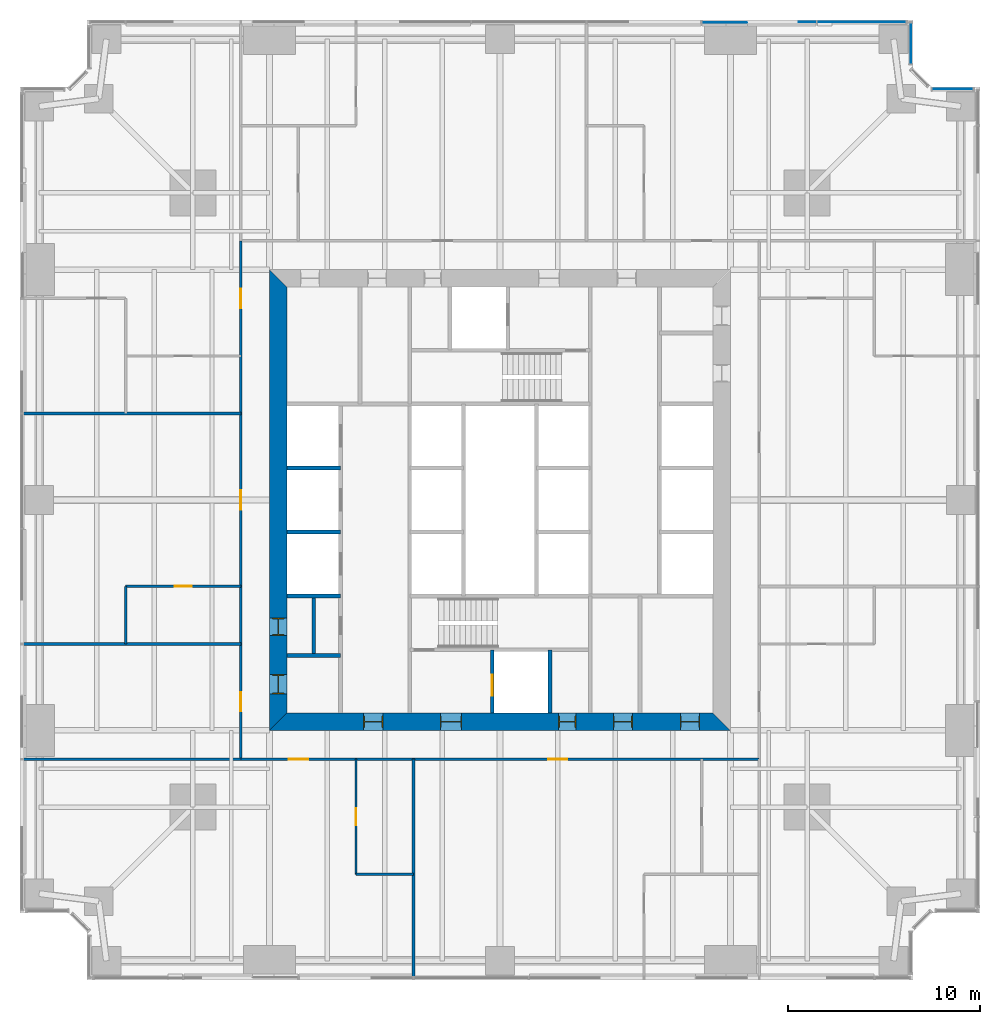
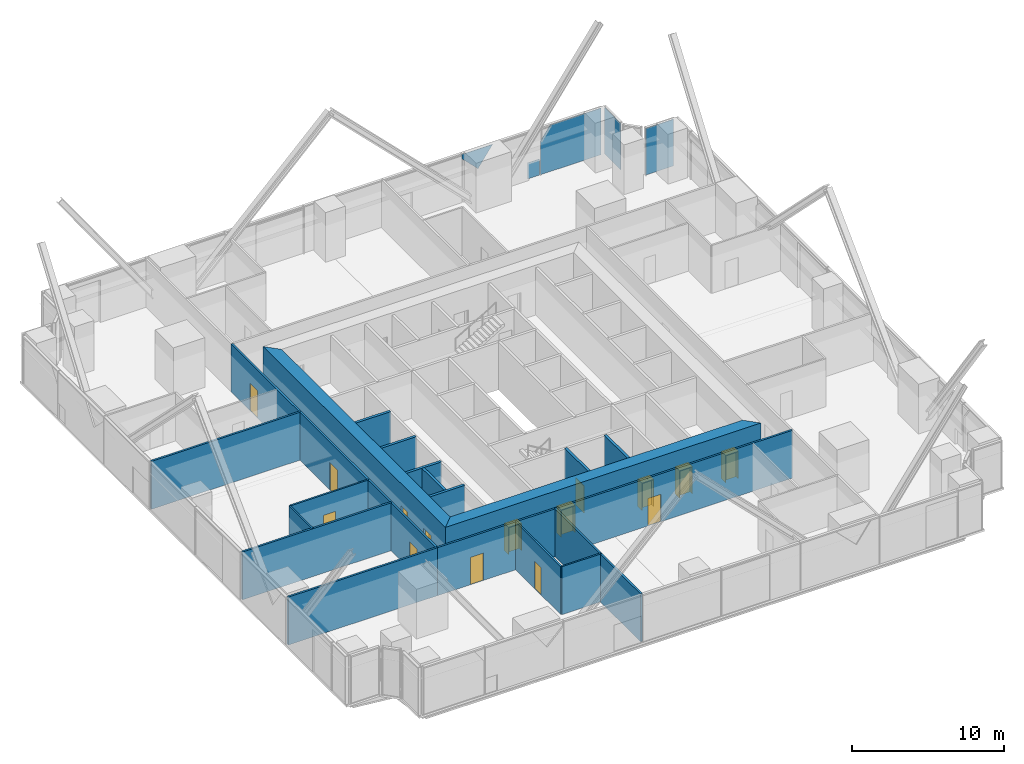
# One storey, part 9 of 13: 19 walls, 15 doors, 5 plates, 15 openings, 3 elements without a shape of their own.
"""IFC4 building model written with IfcOpenShell, lengths in metres."""

from ifc_helpers import new_model, si_unit, direction, frame, frame_2d, origin, origin_2d, place, context, subcontext, project, spatial, polyline, rectangle, outline, extrude, material, layer, layer_set, type_object, element, fill, aggregate, save


model = new_model("IFC4")

# Units and contexts
model_context = context("Model", 3, precision=1e-05, world=origin(), true_north=direction((0.0, 1.0)))
body_context = subcontext(model_context, "Body", "Model", "MODEL_VIEW")
ifc_project = project(units=[si_unit("LENGTHUNIT", "METRE"), si_unit("AREAUNIT", "SQUARE_METRE"), si_unit("VOLUMEUNIT", "CUBIC_METRE"), si_unit("PLANEANGLEUNIT", "RADIAN"), si_unit("MASSUNIT", "GRAM", prefix="KILO")], contexts=[model_context])

# Site, building, storey
site_placement = place(None, origin())
site = spatial("IfcSite", under=ifc_project, at=site_placement, CompositionType="ELEMENT")
building_placement = place(site_placement, origin())
building = spatial("IfcBuilding", under=site, at=building_placement, Name="Fenwick Lantern Interchange", CompositionType="ELEMENT")
storey_placement = place(building_placement, frame((0.0, 0.0, 55.0)))
storey = spatial("IfcBuildingStorey", under=building, at=storey_placement, Name="L12", CompositionType="ELEMENT", Elevation=55.0)

# Curtain wall, plate
ifc_material_1 = material(Name="Aluminium curtain wall frame", Category="aluminium")
curtain_wall_type = type_object("IfcCurtainWallType", Name="OFFICE CURTAIN WALL", PredefinedType="USERDEFINED", material=ifc_material_1)
curtain_wall_1_placement = place(storey_placement, origin())
curtain_wall_1 = element("IfcCurtainWall", 1, at=curtain_wall_1_placement, inside=storey, type_object=curtain_wall_type, Name="Office curtain wall 06", ObjectType="OFFICE CURTAIN WALL", PredefinedType="USERDEFINED")
ifc_material_2 = material(Name="Vision glass, clear low-iron double glazed", Category="glass")
ifc_layer_1 = layer(ifc_material_2, 0.031982421875)
ifc_layer_set_1 = layer_set([ifc_layer_1], Name="OFFICE CURTAIN WALL PANEL 32")
plate_type = type_object("IfcPlateType", Name="OFFICE CURTAIN WALL PANEL 32", PredefinedType="CURTAIN_PANEL", material=ifc_layer_set_1)
plate_1_placement = place(storey_placement, frame((48.579345703125, 46.39990234375, 0.0), z_axis=(0.0, 0.0, 1.0), x_axis=(-1.0, 0.0, 0.0)))
plate_1 = element("IfcPlate", 2, at=plate_1_placement, type_object=plate_type, Name="L12/CW/06/P00", PredefinedType="CURTAIN_PANEL", context=body_context, shape_type="SweptSolid", body=[
    extrude(rectangle(XDim=2.111328125, YDim=0.031982421875, at=origin_2d()), origin(), (0.0, 0.0, 1.0), 3.75),
])
aggregate(curtain_wall_1, [plate_1])

curtain_wall_2_placement = place(storey_placement, origin())
curtain_wall_2 = element("IfcCurtainWall", 3, at=curtain_wall_2_placement, inside=storey, type_object=curtain_wall_type, Name="Office curtain wall 08", ObjectType="OFFICE CURTAIN WALL", PredefinedType="USERDEFINED")
plate_2_placement = place(storey_placement, frame((46.39990234375, 48.779296875, 0.0), z_axis=(0.0, 0.0, 1.0), x_axis=(0.0, 1.0, 0.0)))
plate_2 = element("IfcPlate", 4, at=plate_2_placement, type_object=plate_type, Name="L12/CW/08/P00", PredefinedType="CURTAIN_PANEL", context=body_context, shape_type="SweptSolid", body=[
    extrude(rectangle(XDim=2.111328125, YDim=0.031982421875, at=origin_2d()), origin(), (0.0, 0.0, 1.0), 3.75),
])
aggregate(curtain_wall_2, [plate_2])

# Curtain wall, plates
curtain_wall_3_placement = place(storey_placement, origin())
curtain_wall_3 = element("IfcCurtainWall", 5, at=curtain_wall_3_placement, inside=storey, type_object=curtain_wall_type, Name="Office curtain wall 09", ObjectType="OFFICE CURTAIN WALL", PredefinedType="USERDEFINED")
plate_3_placement = place(storey_placement, frame((46.39990234375, 49.89990234375, 0.0), z_axis=(0.0, 0.0, 1.0), x_axis=(-1.0, 0.0, 0.0)))
plate_3 = element("IfcPlate", 6, at=plate_3_placement, type_object=plate_type, Name="L12/CW/09/P00a", PredefinedType="CURTAIN_PANEL", context=body_context, shape_type="SweptSolid", body=[
    extrude(outline(polyline([(0.264892578125, 0.0), (4.867431640625, 0.0), (4.867431640625, 2.6787109375), (4.108642578125, 3.75), (0.264892578125, 3.75), (0.264892578125, 0.0)])), frame((0.0, 0.01611328125, 0.0), z_axis=(0.0, -1.0, 0.0), x_axis=(1.0, 0.0, 0.0)), (0.0, 0.0, 1.0), 0.031982421875),
])
plate_4_placement = place(storey_placement, frame((46.39990234375, 49.89990234375, 0.0), z_axis=(0.0, 0.0, 1.0), x_axis=(-1.0, 0.0, 0.0)))
plate_4 = element("IfcPlate", 7, at=plate_4_placement, type_object=plate_type, Name="L12/CW/09/P01a", PredefinedType="CURTAIN_PANEL", context=body_context, shape_type="SweptSolid", body=[
    extrude(outline(polyline([(4.9326171875, 0.0), (5.847412109375, 0.0), (5.847412109375, 1.295166015625), (4.9326171875, 1.295166015625), (4.9326171875, 0.0)])), frame((0.0, 0.01611328125, 0.0), z_axis=(0.0, -1.0, 0.0), x_axis=(1.0, 0.0, 0.0)), (0.0, 0.0, 1.0), 0.031982421875),
])
plate_5_placement = place(storey_placement, frame((46.39990234375, 49.89990234375, 2.17529296875), z_axis=(0.0, 0.0, 1.0), x_axis=(-1.0, 0.0, 0.0)))
plate_5 = element("IfcPlate", 8, at=plate_5_placement, type_object=plate_type, Name="L12/CW/09/P01b", PredefinedType="CURTAIN_PANEL", context=body_context, shape_type="SweptSolid", body=[
    extrude(outline(polyline([(9.6357421875, 0.0), (10.867431640625, 1.231689453125), (10.867431640625, 1.57470703125), (8.520263671875, 1.57470703125), (9.6357421875, 0.0)])), frame((0.0, 0.0498046875, 0.0), z_axis=(0.0, -1.0, 0.0), x_axis=(1.0, 0.0, 0.0)), (0.0, 0.0, 1.0), 0.031982421875),
])
aggregate(curtain_wall_3, [plate_3, plate_4, plate_5])

# Walls
ifc_material_3 = material(Name="Concrete masonry ASTM C90 Grade N", Category="masonry")
ifc_layer_2 = layer(ifc_material_3, 0.199951171875)
ifc_layer_set_2 = layer_set([ifc_layer_2], Name="Concrete masonry ASTM C90 Grade N")
wall_type_1 = type_object("IfcWallType", Name="CORE PARTITION 200", PredefinedType="PARTITIONING", material=ifc_layer_set_2)
for number, where, z_axis, x_axis, name in (
    (9, (13.89990234375, 20.0, 0.0), (0.0, 0.0, 1.0), (1.0, 0.0, 0.0), "L12/W/CORES/c2"),
    (10, (13.89990234375, 23.333251953125, 0.0), (0.0, 0.0, 1.0), (1.0, 0.0, 0.0), "L12/W/CORES/d1"),
    (11, (13.89990234375, 26.666748046875, 0.0), (0.0, 0.0, 1.0), (1.0, 0.0, 0.0), "L12/W/CORES/d2"),
):
    element("IfcWall", number, at=place(storey_placement, frame(where, z_axis=z_axis, x_axis=x_axis)), inside=storey, type_object=wall_type_1, Name=name, PredefinedType="PARTITIONING", context=body_context, shape_type="SweptSolid", body=[
        extrude(rectangle(XDim=2.800048828125, YDim=0.199951171875, at=frame_2d((1.39990234375, 0.0))), origin(), (0.0, 0.0, 1.0), 3.800048828125),
    ])

# Wall, opening, door
wall_1_placement = place(storey_placement, frame((24.60009765625, 13.89990234375, 0.0), z_axis=(0.0, 0.0, 1.0), x_axis=(0.0, 1.0, 0.0)))
wall_1 = element("IfcWall", 12, at=wall_1_placement, inside=storey, type_object=wall_type_1, Name="L12/W/CORES/h1", PredefinedType="PARTITIONING", context=body_context, shape_type="SweptSolid", body=[
    extrude(rectangle(XDim=3.300048828125, YDim=0.199951171875, at=frame_2d((1.64990234375, 0.0))), origin(), (0.0, 0.0, 1.0), 3.800048828125),
])
opening_1_placement = place(wall_1_placement, frame((0.89990234375, 0.0, 0.0)))
opening_1 = element("IfcOpeningElement", 13, at=opening_1_placement, cuts=wall_1, Name="Opening LD-FL1", PredefinedType="OPENING", context=body_context, shape_type="SweptSolid", body=[
    extrude(rectangle(XDim=1.10009765625, YDim=2.199951171875, at=frame_2d((0.550048828125, 1.10009765625))), frame((0.0, 0.10986328125, 0.0), z_axis=(0.0, -1.0, 0.0), x_axis=(1.0, 0.0, 0.0)), (0.0, 0.0, 1.0), 0.219970703125),
])
ifc_material_4 = material(Name="Steel door and frame", Category="steel")
door_type_1 = type_object("IfcDoorType", Name="LIFT LANDING DOOR 1100 X 2200", OperationType="DOUBLE_DOOR_SLIDING", PredefinedType="DOOR", material=ifc_material_4)
door_1_placement = place(opening_1_placement, origin())
door_1 = element("IfcDoor", 14, at=door_1_placement, inside=storey, type_object=door_type_1, Name="Lift landing door FL1", OperationType="DOUBLE_DOOR_SLIDING", OverallHeight=2.199951171875, OverallWidth=1.10009765625, PredefinedType="DOOR", context=body_context, shape_type="SweptSolid", body=[
    extrude(rectangle(XDim=1.10009765625, YDim=2.199951171875, at=frame_2d((0.550048828125, 1.10009765625))), frame((0.0, 0.02490234375, 0.0), z_axis=(0.0, -1.0, 0.0), x_axis=(1.0, 0.0, 0.0)), (0.0, 0.0, 1.0), 0.050048828125),
])
fill(opening_1, door_1)

# Walls
wall_2_placement = place(storey_placement, frame((27.60009765625, 13.89990234375, 0.0), z_axis=(0.0, 0.0, 1.0), x_axis=(0.0, 1.0, 0.0)))
element("IfcWall", 15, at=wall_2_placement, inside=storey, type_object=wall_type_1, Name="L12/W/CORES/h2", PredefinedType="PARTITIONING", context=body_context, shape_type="SweptSolid", body=[
    extrude(rectangle(XDim=3.300048828125, YDim=0.199951171875, at=frame_2d((1.64990234375, 0.0))), origin(), (0.0, 0.0, 1.0), 3.800048828125),
])
wall_3_placement = place(storey_placement, frame((13.89990234375, 16.89990234375, 0.0), z_axis=(0.0, 0.0, 1.0), x_axis=(1.0, 0.0, 0.0)))
element("IfcWall", 16, at=wall_3_placement, inside=storey, type_object=wall_type_1, Name="L12/W/CORES/p1", PredefinedType="PARTITIONING", context=body_context, shape_type="SweptSolid", body=[
    extrude(rectangle(XDim=2.800048828125, YDim=0.199951171875, at=frame_2d((1.39990234375, 0.0))), origin(), (0.0, 0.0, 1.0), 3.800048828125),
])
wall_4_placement = place(storey_placement, frame((15.300048828125, 16.89990234375, 0.0), z_axis=(0.0, 0.0, 1.0), x_axis=(0.0, 1.0, 0.0)))
element("IfcWall", 17, at=wall_4_placement, inside=storey, type_object=wall_type_1, Name="L12/W/CORES/px", PredefinedType="PARTITIONING", context=body_context, shape_type="SweptSolid", body=[
    extrude(rectangle(XDim=3.10009765625, YDim=0.199951171875, at=frame_2d((1.550048828125, 0.0))), origin(), (0.0, 0.0, 1.0), 3.800048828125),
])

# Wall, openings, doors
ifc_material_5 = material(Name="Concrete f'c 70 MPa", Category="concrete")
ifc_layer_3 = layer(ifc_material_5, 0.89990234375)
ifc_layer_set_3 = layer_set([ifc_layer_3], Name="CORE WALL 900")
wall_type_2 = type_object("IfcWallType", Name="CORE WALL 900", PredefinedType="SHEAR", material=ifc_layer_set_3)
wall_5_placement = place(storey_placement, frame((13.0, 13.449951171875, 0.0), z_axis=(0.0, 0.0, 1.0), x_axis=(1.0, 0.0, 0.0)))
wall_5 = element("IfcWall", 18, at=wall_5_placement, inside=storey, type_object=wall_type_2, Name="L12/CORE/S", PredefinedType="SHEAR", context=body_context, shape_type="SweptSolid", body=[
    extrude(outline(polyline([(0.0, -0.449951171875), (24.0, -0.449951171875), (23.10009765625, 0.449951171875), (0.89990234375, 0.449951171875), (0.0, -0.449951171875)])), origin(), (0.0, 0.0, 1.0), 4.0),
])
opening_2_placement = place(wall_5_placement, frame((4.89990234375, 0.0, 0.0)))
opening_2 = element("IfcOpeningElement", 19, at=opening_2_placement, cuts=wall_5, Name="Opening L12-D001", PredefinedType="OPENING", context=body_context, shape_type="SweptSolid", body=[
    extrude(rectangle(XDim=1.0, YDim=2.199951171875, at=frame_2d((0.5, 1.10009765625))), frame((0.0, 0.4599609375, 0.0), z_axis=(0.0, -1.0, 0.0), x_axis=(1.0, 0.0, 0.0)), (0.0, 0.0, 1.0), 0.919921875),
])
opening_3_placement = place(wall_5_placement, frame((8.89990234375, 0.0, 0.0)))
opening_3 = element("IfcOpeningElement", 20, at=opening_3_placement, cuts=wall_5, Name="Opening L12-D002", PredefinedType="OPENING", context=body_context, shape_type="SweptSolid", body=[
    extrude(rectangle(XDim=1.10009765625, YDim=2.199951171875, at=frame_2d((0.550048828125, 1.10009765625))), frame((0.0, 0.4599609375, 0.0), z_axis=(0.0, -1.0, 0.0), x_axis=(1.0, 0.0, 0.0)), (0.0, 0.0, 1.0), 0.919921875),
])
opening_4_placement = place(wall_5_placement, frame((15.050048828125, 0.0, 0.0)))
opening_4 = element("IfcOpeningElement", 21, at=opening_4_placement, cuts=wall_5, Name="Opening L12-D004", PredefinedType="OPENING", context=body_context, shape_type="SweptSolid", body=[
    extrude(rectangle(XDim=0.89990234375, YDim=2.199951171875, at=frame_2d((0.449951171875, 1.10009765625))), frame((0.0, 0.4599609375, 0.0), z_axis=(0.0, -1.0, 0.0), x_axis=(1.0, 0.0, 0.0)), (0.0, 0.0, 1.0), 0.919921875),
])
opening_5_placement = place(wall_5_placement, frame((17.89990234375, 0.0, 0.0)))
opening_5 = element("IfcOpeningElement", 22, at=opening_5_placement, cuts=wall_5, Name="Opening L12-D005", PredefinedType="OPENING", context=body_context, shape_type="SweptSolid", body=[
    extrude(rectangle(XDim=1.0, YDim=2.199951171875, at=frame_2d((0.5, 1.10009765625))), frame((0.0, 0.4599609375, 0.0), z_axis=(0.0, -1.0, 0.0), x_axis=(1.0, 0.0, 0.0)), (0.0, 0.0, 1.0), 0.919921875),
])
opening_6_placement = place(wall_5_placement, frame((21.39990234375, 0.0, 0.0)))
opening_6 = element("IfcOpeningElement", 23, at=opening_6_placement, cuts=wall_5, Name="Opening L12-D006", PredefinedType="OPENING", context=body_context, shape_type="SweptSolid", body=[
    extrude(rectangle(XDim=1.0, YDim=2.199951171875, at=frame_2d((0.5, 1.10009765625))), frame((0.0, 0.4599609375, 0.0), z_axis=(0.0, -1.0, 0.0), x_axis=(1.0, 0.0, 0.0)), (0.0, 0.0, 1.0), 0.919921875),
])
door_type_2 = type_object("IfcDoorType", Name="CORE LOBBY DOOR 1000 X 2200", OperationType="SINGLE_SWING_LEFT", PredefinedType="DOOR", material=ifc_material_4)
door_2_placement = place(opening_2_placement, origin())
door_2 = element("IfcDoor", 24, at=door_2_placement, inside=storey, type_object=door_type_2, Name="Core lobby door", OperationType="SINGLE_SWING_LEFT", OverallHeight=2.199951171875, OverallWidth=1.0, PredefinedType="DOOR", context=body_context, shape_type="SweptSolid", body=[
    extrude(rectangle(XDim=1.0, YDim=2.199951171875, at=frame_2d((0.5, 1.10009765625))), frame((0.0, 0.02490234375, 0.0), z_axis=(0.0, -1.0, 0.0), x_axis=(1.0, 0.0, 0.0)), (0.0, 0.0, 1.0), 0.050048828125),
    extrude(outline(polyline([(0.0, 0.0), (0.0400390625, 0.0), (0.0400390625, 2.159912109375), (0.9599609375, 2.159912109375), (0.9599609375, 0.0), (1.0, 0.0), (1.0, 2.199951171875), (0.0, 2.199951171875), (0.0, 0.0)])), frame((0.0, 0.300048828125, 0.0), z_axis=(0.0, -1.0, 0.0), x_axis=(1.0, 0.0, 0.0)), (0.0, 0.0, 1.0), 0.60009765625),
])
fill(opening_2, door_2)
door_type_3 = type_object("IfcDoorType", Name="FIRE LOBBY DOOR 1100 X 2200", OperationType="SINGLE_SWING_LEFT", PredefinedType="DOOR", material=ifc_material_4)
door_3_placement = place(opening_3_placement, origin())
door_3 = element("IfcDoor", 25, at=door_3_placement, inside=storey, type_object=door_type_3, Name="Fire lobby door", OperationType="SINGLE_SWING_LEFT", OverallHeight=2.199951171875, OverallWidth=1.10009765625, PredefinedType="DOOR", context=body_context, shape_type="SweptSolid", body=[
    extrude(rectangle(XDim=1.10009765625, YDim=2.199951171875, at=frame_2d((0.550048828125, 1.10009765625))), frame((0.0, 0.02490234375, 0.0), z_axis=(0.0, -1.0, 0.0), x_axis=(1.0, 0.0, 0.0)), (0.0, 0.0, 1.0), 0.050048828125),
    extrude(outline(polyline([(0.0, 0.0), (0.0400390625, 0.0), (0.0400390625, 2.159912109375), (1.06005859375, 2.159912109375), (1.06005859375, 0.0), (1.10009765625, 0.0), (1.10009765625, 2.199951171875), (0.0, 2.199951171875), (0.0, 0.0)])), frame((0.0, 0.300048828125, 0.0), z_axis=(0.0, -1.0, 0.0), x_axis=(1.0, 0.0, 0.0)), (0.0, 0.0, 1.0), 0.60009765625),
])
fill(opening_3, door_3)
door_type_4 = type_object("IfcDoorType", Name="SERVICE DOOR 900 X 2200", OperationType="SINGLE_SWING_LEFT", PredefinedType="DOOR", material=ifc_material_4)
door_4_placement = place(opening_4_placement, origin())
door_4 = element("IfcDoor", 26, at=door_4_placement, inside=storey, type_object=door_type_4, Name="Service door", OperationType="SINGLE_SWING_LEFT", OverallHeight=2.199951171875, OverallWidth=0.89990234375, PredefinedType="DOOR", context=body_context, shape_type="SweptSolid", body=[
    extrude(rectangle(XDim=0.89990234375, YDim=2.199951171875, at=frame_2d((0.449951171875, 1.10009765625))), frame((0.0, 0.02490234375, 0.0), z_axis=(0.0, -1.0, 0.0), x_axis=(1.0, 0.0, 0.0)), (0.0, 0.0, 1.0), 0.050048828125),
    extrude(outline(polyline([(0.0, 0.0), (0.0400390625, 0.0), (0.0400390625, 2.159912109375), (0.85986328125, 2.159912109375), (0.85986328125, 0.0), (0.89990234375, 0.0), (0.89990234375, 2.199951171875), (0.0, 2.199951171875), (0.0, 0.0)])), frame((0.0, 0.300048828125, 0.0), z_axis=(0.0, -1.0, 0.0), x_axis=(1.0, 0.0, 0.0)), (0.0, 0.0, 1.0), 0.60009765625),
])
fill(opening_4, door_4)
ifc_material_6 = material(Name="Hardwood door and steel frame", Category="steel")
door_type_5 = type_object("IfcDoorType", Name="WC DOOR 1000 X 2200", OperationType="SINGLE_SWING_LEFT", PredefinedType="DOOR", material=ifc_material_6)
door_5_placement = place(opening_5_placement, origin())
door_5 = element("IfcDoor", 27, at=door_5_placement, inside=storey, type_object=door_type_5, Name="Wc door", OperationType="SINGLE_SWING_RIGHT", OverallHeight=2.199951171875, OverallWidth=1.0, PredefinedType="DOOR", context=body_context, shape_type="SweptSolid", body=[
    extrude(rectangle(XDim=1.0, YDim=2.199951171875, at=frame_2d((0.5, 1.10009765625))), frame((0.0, 0.02490234375, 0.0), z_axis=(0.0, -1.0, 0.0), x_axis=(1.0, 0.0, 0.0)), (0.0, 0.0, 1.0), 0.050048828125),
    extrude(outline(polyline([(0.0, 0.0), (0.0400390625, 0.0), (0.0400390625, 2.159912109375), (0.9599609375, 2.159912109375), (0.9599609375, 0.0), (1.0, 0.0), (1.0, 2.199951171875), (0.0, 2.199951171875), (0.0, 0.0)])), frame((0.0, 0.300048828125, 0.0), z_axis=(0.0, -1.0, 0.0), x_axis=(1.0, 0.0, 0.0)), (0.0, 0.0, 1.0), 0.60009765625),
])
fill(opening_5, door_5)
door_6_placement = place(opening_6_placement, origin())
door_6 = element("IfcDoor", 28, at=door_6_placement, inside=storey, type_object=door_type_5, Name="Wc door", OperationType="SINGLE_SWING_RIGHT", OverallHeight=2.199951171875, OverallWidth=1.0, PredefinedType="DOOR", context=body_context, shape_type="SweptSolid", body=[
    extrude(rectangle(XDim=1.0, YDim=2.199951171875, at=frame_2d((0.5, 1.10009765625))), frame((0.0, 0.02490234375, 0.0), z_axis=(0.0, -1.0, 0.0), x_axis=(1.0, 0.0, 0.0)), (0.0, 0.0, 1.0), 0.050048828125),
    extrude(outline(polyline([(0.0, 0.0), (0.0400390625, 0.0), (0.0400390625, 2.159912109375), (0.9599609375, 2.159912109375), (0.9599609375, 0.0), (1.0, 0.0), (1.0, 2.199951171875), (0.0, 2.199951171875), (0.0, 0.0)])), frame((0.0, 0.300048828125, 0.0), z_axis=(0.0, -1.0, 0.0), x_axis=(1.0, 0.0, 0.0)), (0.0, 0.0, 1.0), 0.60009765625),
])
fill(opening_6, door_6)

wall_6_placement = place(storey_placement, frame((13.449951171875, 36.10009765625, 0.0), z_axis=(0.0, 0.0, 1.0), x_axis=(0.0, -1.0, 0.0)))
wall_6 = element("IfcWall", 29, at=wall_6_placement, inside=storey, type_object=wall_type_2, Name="L12/CORE/W", PredefinedType="SHEAR", context=body_context, shape_type="SweptSolid", body=[
    extrude(outline(polyline([(-0.89990234375, -0.449951171875), (23.10009765625, -0.449951171875), (22.199951171875, 0.449951171875), (0.0, 0.449951171875), (-0.89990234375, -0.449951171875)])), origin(), (0.0, 0.0, 1.0), 4.0),
])
opening_7_placement = place(wall_6_placement, frame((20.199951171875, 0.0, 0.0)))
opening_7 = element("IfcOpeningElement", 30, at=opening_7_placement, cuts=wall_6, Name="Opening L12-D007", PredefinedType="OPENING", context=body_context, shape_type="SweptSolid", body=[
    extrude(rectangle(XDim=1.0, YDim=2.199951171875, at=frame_2d((0.5, 1.10009765625))), frame((0.0, 0.4599609375, 0.0), z_axis=(0.0, -1.0, 0.0), x_axis=(1.0, 0.0, 0.0)), (0.0, 0.0, 1.0), 0.919921875),
])
opening_8_placement = place(wall_6_placement, frame((17.25, 0.0, 0.0)))
opening_8 = element("IfcOpeningElement", 31, at=opening_8_placement, cuts=wall_6, Name="Opening L12-D009", PredefinedType="OPENING", context=body_context, shape_type="SweptSolid", body=[
    extrude(rectangle(XDim=0.89990234375, YDim=2.199951171875, at=frame_2d((0.449951171875, 1.10009765625))), frame((0.0, 0.4599609375, 0.0), z_axis=(0.0, -1.0, 0.0), x_axis=(1.0, 0.0, 0.0)), (0.0, 0.0, 1.0), 0.919921875),
])
door_7_placement = place(opening_8_placement, origin())
door_7 = element("IfcDoor", 32, at=door_7_placement, inside=storey, type_object=door_type_4, Name="Service door", OperationType="SINGLE_SWING_RIGHT", OverallHeight=2.199951171875, OverallWidth=0.89990234375, PredefinedType="DOOR", context=body_context, shape_type="SweptSolid", body=[
    extrude(rectangle(XDim=0.89990234375, YDim=2.199951171875, at=frame_2d((0.449951171875, 1.10009765625))), frame((0.0, 0.02490234375, 0.0), z_axis=(0.0, -1.0, 0.0), x_axis=(1.0, 0.0, 0.0)), (0.0, 0.0, 1.0), 0.050048828125),
    extrude(outline(polyline([(0.0, 0.0), (0.0400390625, 0.0), (0.0400390625, 2.159912109375), (0.85986328125, 2.159912109375), (0.85986328125, 0.0), (0.89990234375, 0.0), (0.89990234375, 2.199951171875), (0.0, 2.199951171875), (0.0, 0.0)])), frame((0.0, 0.300048828125, 0.0), z_axis=(0.0, -1.0, 0.0), x_axis=(1.0, 0.0, 0.0)), (0.0, 0.0, 1.0), 0.60009765625),
])
fill(opening_8, door_7)
door_8_placement = place(opening_7_placement, origin())
door_8 = element("IfcDoor", 33, at=door_8_placement, inside=storey, type_object=door_type_5, Name="Wc door", OperationType="SINGLE_SWING_LEFT", OverallHeight=2.199951171875, OverallWidth=1.0, PredefinedType="DOOR", context=body_context, shape_type="SweptSolid", body=[
    extrude(rectangle(XDim=1.0, YDim=2.199951171875, at=frame_2d((0.5, 1.10009765625))), frame((0.0, 0.02490234375, 0.0), z_axis=(0.0, -1.0, 0.0), x_axis=(1.0, 0.0, 0.0)), (0.0, 0.0, 1.0), 0.050048828125),
    extrude(outline(polyline([(0.0, 0.0), (0.0400390625, 0.0), (0.0400390625, 2.159912109375), (0.9599609375, 2.159912109375), (0.9599609375, 0.0), (1.0, 0.0), (1.0, 2.199951171875), (0.0, 2.199951171875), (0.0, 0.0)])), frame((0.0, 0.300048828125, 0.0), z_axis=(0.0, -1.0, 0.0), x_axis=(1.0, 0.0, 0.0)), (0.0, 0.0, 1.0), 0.60009765625),
])
fill(opening_7, door_8)

ifc_material_7 = material(Name="Gypsum board on steel studs, 1 hour", Category="steel")
ifc_layer_4 = layer(ifc_material_7, 0.14990234375)
ifc_layer_set_4 = layer_set([ifc_layer_4], Name="CORRIDOR WALL 150")
wall_type_3 = type_object("IfcWallType", Name="CORRIDOR WALL 150", PredefinedType="PARTITIONING", material=ifc_layer_set_4)
wall_7_placement = place(storey_placement, frame((11.5, 11.5, 0.0), z_axis=(0.0, 0.0, 1.0), x_axis=(1.0, 0.0, 0.0)))
wall_7 = element("IfcWall", 34, at=wall_7_placement, inside=storey, type_object=wall_type_3, Name="L12/W/OFF/S/CW", PredefinedType="PARTITIONING", context=body_context, shape_type="SweptSolid", body=[
    extrude(rectangle(XDim=27.0, YDim=0.14990234375, at=frame_2d((13.5, 0.0))), origin(), (0.0, 0.0, 1.0), 3.85009765625),
])
opening_9_placement = place(wall_7_placement, frame((2.5, 0.0, 0.0)))
opening_9 = element("IfcOpeningElement", 35, at=opening_9_placement, cuts=wall_7, Name="Opening L12-D018", PredefinedType="OPENING", context=body_context, shape_type="SweptSolid", body=[
    extrude(rectangle(XDim=1.0, YDim=2.199951171875, at=frame_2d((0.5, 1.10009765625))), frame((0.0, 0.0849609375, 0.0), z_axis=(0.0, -1.0, 0.0), x_axis=(1.0, 0.0, 0.0)), (0.0, 0.0, 1.0), 0.169921875),
])
opening_10_placement = place(wall_7_placement, frame((16.0, 0.0, 0.0)))
opening_10 = element("IfcOpeningElement", 36, at=opening_10_placement, cuts=wall_7, Name="Opening L12-D020", PredefinedType="OPENING", context=body_context, shape_type="SweptSolid", body=[
    extrude(rectangle(XDim=1.0, YDim=2.199951171875, at=frame_2d((0.5, 1.10009765625))), frame((0.0, 0.0849609375, 0.0), z_axis=(0.0, -1.0, 0.0), x_axis=(1.0, 0.0, 0.0)), (0.0, 0.0, 1.0), 0.169921875),
])
door_type_6 = type_object("IfcDoorType", Name="SUITE ENTRANCE DOOR 1000 X 2200", OperationType="SINGLE_SWING_LEFT", PredefinedType="DOOR", material=ifc_material_4)
door_9_placement = place(opening_9_placement, frame((1.0, 0.0, 0.0), z_axis=(0.0, 0.0, 1.0), x_axis=(-1.0, 0.0, 0.0)))
door_9 = element("IfcDoor", 37, at=door_9_placement, inside=storey, type_object=door_type_6, Name="Suite entrance door", OperationType="SINGLE_SWING_LEFT", OverallHeight=2.199951171875, OverallWidth=1.0, PredefinedType="DOOR", context=body_context, shape_type="SweptSolid", body=[
    extrude(rectangle(XDim=1.0, YDim=2.199951171875, at=frame_2d((0.5, 1.10009765625))), frame((0.0, 0.02490234375, 0.0), z_axis=(0.0, -1.0, 0.0), x_axis=(1.0, 0.0, 0.0)), (0.0, 0.0, 1.0), 0.050048828125),
])
fill(opening_9, door_9)
door_10_placement = place(opening_10_placement, frame((1.0, 0.0, 0.0), z_axis=(0.0, 0.0, 1.0), x_axis=(-1.0, 0.0, 0.0)))
door_10 = element("IfcDoor", 38, at=door_10_placement, inside=storey, type_object=door_type_6, Name="Suite entrance door", OperationType="SINGLE_SWING_RIGHT", OverallHeight=2.199951171875, OverallWidth=1.0, PredefinedType="DOOR", context=body_context, shape_type="SweptSolid", body=[
    extrude(rectangle(XDim=1.0, YDim=2.199951171875, at=frame_2d((0.5, 1.10009765625))), frame((0.0, 0.02490234375, 0.0), z_axis=(0.0, -1.0, 0.0), x_axis=(1.0, 0.0, 0.0)), (0.0, 0.0, 1.0), 0.050048828125),
])
fill(opening_10, door_10)

wall_8_placement = place(storey_placement, frame((11.5, 38.5, 0.0), z_axis=(0.0, 0.0, 1.0), x_axis=(0.0, -1.0, 0.0)))
wall_8 = element("IfcWall", 39, at=wall_8_placement, inside=storey, type_object=wall_type_3, Name="L12/W/OFF/W/CW", PredefinedType="PARTITIONING", context=body_context, shape_type="SweptSolid", body=[
    extrude(rectangle(XDim=27.0, YDim=0.14990234375, at=frame_2d((13.5, 0.0))), origin(), (0.0, 0.0, 1.0), 3.85009765625),
])
opening_11_placement = place(wall_8_placement, frame((2.5, 0.0, 0.0)))
opening_11 = element("IfcOpeningElement", 40, at=opening_11_placement, cuts=wall_8, Name="Opening L12-D033", PredefinedType="OPENING", context=body_context, shape_type="SweptSolid", body=[
    extrude(rectangle(XDim=1.0, YDim=2.199951171875, at=frame_2d((0.5, 1.10009765625))), frame((0.0, 0.0849609375, 0.0), z_axis=(0.0, -1.0, 0.0), x_axis=(1.0, 0.0, 0.0)), (0.0, 0.0, 1.0), 0.169921875),
])
opening_12_placement = place(wall_8_placement, frame((13.0, 0.0, 0.0)))
opening_12 = element("IfcOpeningElement", 41, at=opening_12_placement, cuts=wall_8, Name="Opening L12-D036", PredefinedType="OPENING", context=body_context, shape_type="SweptSolid", body=[
    extrude(rectangle(XDim=1.0, YDim=2.199951171875, at=frame_2d((0.5, 1.10009765625))), frame((0.0, 0.0849609375, 0.0), z_axis=(0.0, -1.0, 0.0), x_axis=(1.0, 0.0, 0.0)), (0.0, 0.0, 1.0), 0.169921875),
])
opening_13_placement = place(wall_8_placement, frame((23.5, 0.0, 0.0)))
opening_13 = element("IfcOpeningElement", 42, at=opening_13_placement, cuts=wall_8, Name="Opening L12-D038", PredefinedType="OPENING", context=body_context, shape_type="SweptSolid", body=[
    extrude(rectangle(XDim=1.0, YDim=2.199951171875, at=frame_2d((0.5, 1.10009765625))), frame((0.0, 0.0849609375, 0.0), z_axis=(0.0, -1.0, 0.0), x_axis=(1.0, 0.0, 0.0)), (0.0, 0.0, 1.0), 0.169921875),
])
door_11_placement = place(opening_11_placement, frame((1.0, 0.0, 0.0), z_axis=(0.0, 0.0, 1.0), x_axis=(-1.0, 0.0, 0.0)))
door_11 = element("IfcDoor", 43, at=door_11_placement, inside=storey, type_object=door_type_6, Name="Suite entrance door", OperationType="SINGLE_SWING_LEFT", OverallHeight=2.199951171875, OverallWidth=1.0, PredefinedType="DOOR", context=body_context, shape_type="SweptSolid", body=[
    extrude(rectangle(XDim=1.0, YDim=2.199951171875, at=frame_2d((0.5, 1.10009765625))), frame((0.0, 0.02490234375, 0.0), z_axis=(0.0, -1.0, 0.0), x_axis=(1.0, 0.0, 0.0)), (0.0, 0.0, 1.0), 0.050048828125),
])
fill(opening_11, door_11)
door_12_placement = place(opening_12_placement, frame((1.0, 0.0, 0.0), z_axis=(0.0, 0.0, 1.0), x_axis=(-1.0, 0.0, 0.0)))
door_12 = element("IfcDoor", 44, at=door_12_placement, inside=storey, type_object=door_type_6, Name="Suite entrance door", OperationType="SINGLE_SWING_RIGHT", OverallHeight=2.199951171875, OverallWidth=1.0, PredefinedType="DOOR", context=body_context, shape_type="SweptSolid", body=[
    extrude(rectangle(XDim=1.0, YDim=2.199951171875, at=frame_2d((0.5, 1.10009765625))), frame((0.0, 0.02490234375, 0.0), z_axis=(0.0, -1.0, 0.0), x_axis=(1.0, 0.0, 0.0)), (0.0, 0.0, 1.0), 0.050048828125),
])
fill(opening_12, door_12)
door_13_placement = place(opening_13_placement, frame((1.0, 0.0, 0.0), z_axis=(0.0, 0.0, 1.0), x_axis=(-1.0, 0.0, 0.0)))
door_13 = element("IfcDoor", 45, at=door_13_placement, inside=storey, type_object=door_type_6, Name="Suite entrance door", OperationType="SINGLE_SWING_RIGHT", OverallHeight=2.199951171875, OverallWidth=1.0, PredefinedType="DOOR", context=body_context, shape_type="SweptSolid", body=[
    extrude(rectangle(XDim=1.0, YDim=2.199951171875, at=frame_2d((0.5, 1.10009765625))), frame((0.0, 0.02490234375, 0.0), z_axis=(0.0, -1.0, 0.0), x_axis=(1.0, 0.0, 0.0)), (0.0, 0.0, 1.0), 0.050048828125),
])
fill(opening_13, door_13)

# Wall, opening, door
ifc_material_8 = material(Name="Gypsum board on steel studs, acoustic", Category="steel")
ifc_layer_5 = layer(ifc_material_8, 0.125)
ifc_layer_set_5 = layer_set([ifc_layer_5], Name="OFFICE PARTITION 125")
wall_type_4 = type_object("IfcWallType", Name="OFFICE PARTITION 125", PredefinedType="PARTITIONING", material=ifc_layer_set_5)
wall_9_placement = place(storey_placement, frame((17.5, 5.5, 0.0), z_axis=(0.0, 0.0, 1.0), x_axis=(0.0, 1.0, 0.0)))
wall_9 = element("IfcWall", 46, at=wall_9_placement, inside=storey, type_object=wall_type_4, Name="L12/W/OFF/S/X175-1", PredefinedType="PARTITIONING", context=body_context, shape_type="SweptSolid", body=[
    extrude(rectangle(XDim=6.0, YDim=0.125, at=frame_2d((3.0, 0.0))), origin(), (0.0, 0.0, 1.0), 3.85009765625),
])
opening_14_placement = place(wall_9_placement, frame((2.550048828125, 0.0, 0.0)))
opening_14 = element("IfcOpeningElement", 47, at=opening_14_placement, cuts=wall_9, Name="Opening L12-D019", PredefinedType="OPENING", context=body_context, shape_type="SweptSolid", body=[
    extrude(rectangle(XDim=0.89990234375, YDim=2.199951171875, at=frame_2d((0.449951171875, 1.10009765625))), frame((0.0, 0.072509765625, 0.0), z_axis=(0.0, -1.0, 0.0), x_axis=(1.0, 0.0, 0.0)), (0.0, 0.0, 1.0), 0.14501953125),
])
door_type_7 = type_object("IfcDoorType", Name="OFFICE DOOR 900 X 2200", OperationType="SINGLE_SWING_LEFT", PredefinedType="DOOR", material=ifc_material_6)
door_14_placement = place(opening_14_placement, frame((0.89990234375, 0.0, 0.0), z_axis=(0.0, 0.0, 1.0), x_axis=(-1.0, 0.0, 0.0)))
door_14 = element("IfcDoor", 48, at=door_14_placement, inside=storey, type_object=door_type_7, Name="Office door", OperationType="SINGLE_SWING_RIGHT", OverallHeight=2.199951171875, OverallWidth=0.89990234375, PredefinedType="DOOR", context=body_context, shape_type="SweptSolid", body=[
    extrude(rectangle(XDim=0.89990234375, YDim=2.199951171875, at=frame_2d((0.449951171875, 1.10009765625))), frame((0.0, 0.02490234375, 0.0), z_axis=(0.0, -1.0, 0.0), x_axis=(1.0, 0.0, 0.0)), (0.0, 0.0, 1.0), 0.050048828125),
])
fill(opening_14, door_14)

# Wall
wall_10_placement = place(storey_placement, frame((17.5, 5.5, 0.0), z_axis=(0.0, 0.0, 1.0), x_axis=(1.0, 0.0, 0.0)))
element("IfcWall", 49, at=wall_10_placement, inside=storey, type_object=wall_type_4, Name="L12/W/OFF/S/Y55-1", PredefinedType="PARTITIONING", context=body_context, shape_type="SweptSolid", body=[
    extrude(rectangle(XDim=3.0, YDim=0.125, at=frame_2d((1.5, 0.0))), origin(), (0.0, 0.0, 1.0), 3.85009765625),
])

# Wall, opening, door
wall_11_placement = place(storey_placement, frame((5.5, 20.5, 0.0), z_axis=(0.0, 0.0, 1.0), x_axis=(1.0, 0.0, 0.0)))
wall_11 = element("IfcWall", 50, at=wall_11_placement, inside=storey, type_object=wall_type_4, Name="L12/W/OFF/W/X295-1", PredefinedType="PARTITIONING", context=body_context, shape_type="SweptSolid", body=[
    extrude(rectangle(XDim=6.0, YDim=0.125, at=frame_2d((3.0, 0.0))), origin(), (0.0, 0.0, 1.0), 3.85009765625),
])
opening_15_placement = place(wall_11_placement, frame((2.550048828125, 0.0, 0.0)))
opening_15 = element("IfcOpeningElement", 51, at=opening_15_placement, cuts=wall_11, Name="Opening L12-D037", PredefinedType="OPENING", context=body_context, shape_type="SweptSolid", body=[
    extrude(rectangle(XDim=0.89990234375, YDim=2.199951171875, at=frame_2d((0.449951171875, 1.10009765625))), frame((0.0, 0.072509765625, 0.0), z_axis=(0.0, -1.0, 0.0), x_axis=(1.0, 0.0, 0.0)), (0.0, 0.0, 1.0), 0.14501953125),
])
door_15_placement = place(opening_15_placement, frame((0.89990234375, 0.0, 0.0), z_axis=(0.0, 0.0, 1.0), x_axis=(-1.0, 0.0, 0.0)))
door_15 = element("IfcDoor", 52, at=door_15_placement, inside=storey, type_object=door_type_7, Name="Office door", OperationType="SINGLE_SWING_RIGHT", OverallHeight=2.199951171875, OverallWidth=0.89990234375, PredefinedType="DOOR", context=body_context, shape_type="SweptSolid", body=[
    extrude(rectangle(XDim=0.89990234375, YDim=2.199951171875, at=frame_2d((0.449951171875, 1.10009765625))), frame((0.0, 0.02490234375, 0.0), z_axis=(0.0, -1.0, 0.0), x_axis=(1.0, 0.0, 0.0)), (0.0, 0.0, 1.0), 0.050048828125),
])
fill(opening_15, door_15)

# Walls
wall_12_placement = place(storey_placement, frame((5.5, 20.5, 0.0), z_axis=(0.0, 0.0, 1.0), x_axis=(0.0, -1.0, 0.0)))
element("IfcWall", 53, at=wall_12_placement, inside=storey, type_object=wall_type_4, Name="L12/W/OFF/W/Y55-2", PredefinedType="PARTITIONING", context=body_context, shape_type="SweptSolid", body=[
    extrude(rectangle(XDim=3.0, YDim=0.125, at=frame_2d((1.5, 0.0))), origin(), (0.0, 0.0, 1.0), 3.85009765625),
])
ifc_material_9 = material(Name="Gypsum board on steel studs, 1 hour acoustic", Category="steel")
ifc_layer_6 = layer(ifc_material_9, 0.14990234375)
ifc_layer_set_6 = layer_set([ifc_layer_6], Name="TENANT WALL 150")
wall_type_5 = type_object("IfcWallType", Name="TENANT WALL 150", PredefinedType="PARTITIONING", material=ifc_layer_set_6)
for number, where, z_axis, x_axis, name in (
    (54, (0.14990234375, 11.5, 0.0), (0.0, 0.0, 1.0), (1.0, 0.0, 0.0), "L12/W/OFF/S/BACK"),
    (55, (20.5, 0.14990234375, 0.0), (0.0, 0.0, 1.0), (0.0, 1.0, 0.0), "L12/W/OFF/S/X205-1"),
    (56, (0.14990234375, 29.5, 0.0), (0.0, 0.0, 1.0), (1.0, 0.0, 0.0), "L12/W/OFF/W/X205-1"),
    (57, (0.14990234375, 17.5, 0.0), (0.0, 0.0, 1.0), (1.0, 0.0, 0.0), "L12/W/OFF/W/X325-1"),
):
    element("IfcWall", number, at=place(storey_placement, frame(where, z_axis=z_axis, x_axis=x_axis)), inside=storey, type_object=wall_type_5, Name=name, PredefinedType="PARTITIONING", context=body_context, shape_type="SweptSolid", body=[
        extrude(rectangle(XDim=11.35009765625, YDim=0.14990234375, at=frame_2d((5.675048828125, 0.0))), origin(), (0.0, 0.0, 1.0), 3.85009765625),
    ])

save(model, "model.ifc")
